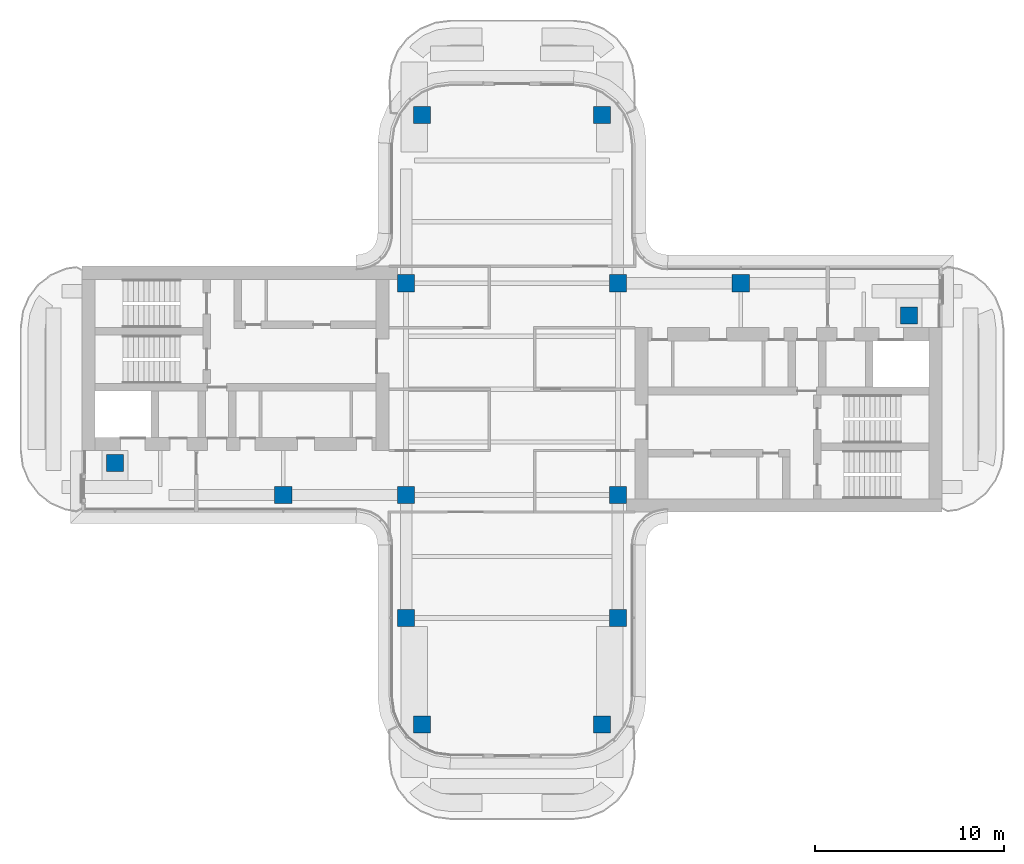
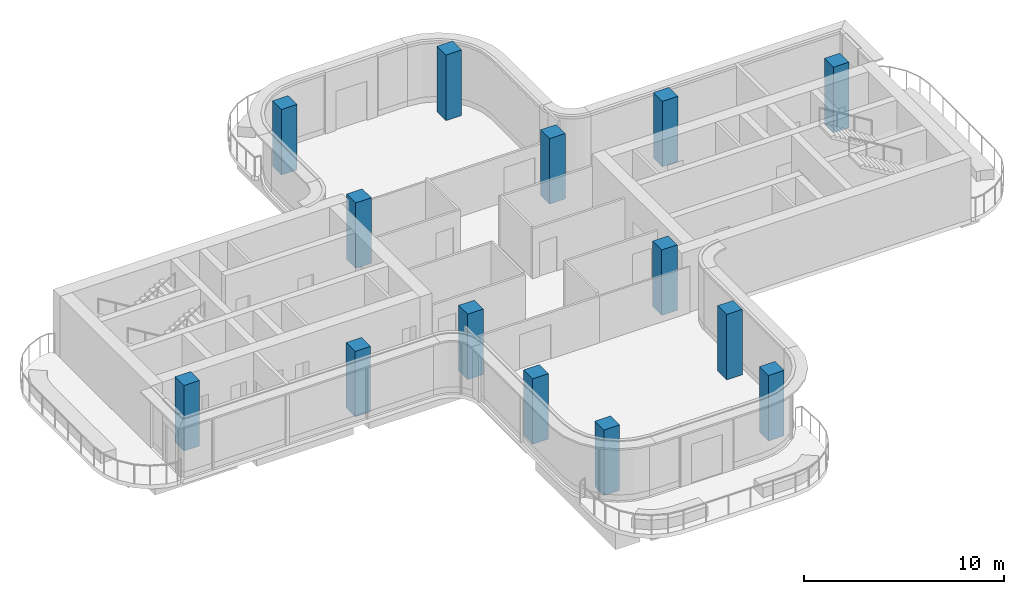
# One storey, part 1 of 18: 14 columns.
"""IFC4 building model written with IfcOpenShell, lengths in metres."""

from ifc_helpers import new_model, si_unit, direction, frame, origin, origin_2d, place, context, subcontext, project, spatial, rectangle, extrude, source, transform, mapped, material, material_profile, profile_set, type_object, element, save


model = new_model("IFC4")

# Units and contexts
model_context = context("Model", 3, precision=1e-05, world=origin(), true_north=direction((0.0, 1.0)))
body_context = subcontext(model_context, "Body", "Model", "MODEL_VIEW")
ifc_project = project(units=[si_unit("LENGTHUNIT", "METRE"), si_unit("AREAUNIT", "SQUARE_METRE"), si_unit("VOLUMEUNIT", "CUBIC_METRE"), si_unit("PLANEANGLEUNIT", "RADIAN"), si_unit("MASSUNIT", "GRAM", prefix="KILO")], contexts=[model_context])

# Site, building, storey
site_placement = place(None, origin())
site = spatial("IfcSite", under=ifc_project, at=site_placement, CompositionType="ELEMENT")
building_placement = place(site_placement, origin())
building = spatial("IfcBuilding", under=site, at=building_placement, Name="Trellis Farm Tower", CompositionType="ELEMENT")
storey_placement = place(building_placement, frame((0.0, 0.0, 338.10009765625)))
storey = spatial("IfcBuildingStorey", under=building, at=storey_placement, Name="L76", CompositionType="ELEMENT", Elevation=338.10009765625)

# Columns
ifc_material = material(Name="Concrete C50/60", Category="concrete")
ifc_material_profile = material_profile(ifc_material, rectangle(XDim=0.89990234375, YDim=0.89990234375, at=origin_2d()), Name="RC column 900x900 C50/60")
ifc_profile_set = profile_set([ifc_material_profile], Name="Concrete C50/60")
column_type = type_object("IfcColumnType", Name="RC column 900x900 C50/60", PredefinedType="COLUMN", material=ifc_profile_set)
shared_shape = source(origin(), body_context, "Body", "SweptSolid", [
    extrude(rectangle(XDim=0.89990234375, YDim=0.89990234375, at=origin_2d()), origin(), (0.0, 0.0, 1.0), 4.0),
])
for number, where, z_axis, x_axis, name in (
    (1, (12.10009765625, 5.60009765625, 0.0), (0.0, 0.0, 1.0), (1.0, 0.0, 0.0), "Column"),
    (2, (21.0, 3.89990234375, 0.0), (0.0, 0.0, 1.0), (1.0, 0.0, 0.0), "Column"),
    (3, (-4.75, 14.5, 0.0), (0.0, 0.0, 1.0), (1.0, 0.0, 0.0), "Column"),
    (4, (4.75, 14.5, 0.0), (0.0, 0.0, 1.0), (1.0, 0.0, 0.0), "Column"),
    (5, (5.60009765625, 5.60009765625, 0.0), (0.0, 0.0, 1.0), (1.0, 0.0, 0.0), "Column"),
    (6, (-5.60009765625, 5.60009765625, 0.0), (0.0, 0.0, 1.0), (1.0, 0.0, 0.0), "Column"),
    (7, (5.60009765625, -5.60009765625, 0.0), (0.0, 0.0, 1.0), (1.0, 0.0, 0.0), "Column"),
    (8, (-5.60009765625, -5.60009765625, 0.0), (0.0, 0.0, 1.0), (1.0, 0.0, 0.0), "Column"),
    (9, (5.60009765625, -12.10009765625, 0.0), (0.0, 0.0, 1.0), (1.0, 0.0, 0.0), "Column"),
    (10, (4.75, -17.75, 0.0), (0.0, 0.0, 1.0), (1.0, 0.0, 0.0), "Column"),
    (11, (-5.60009765625, -12.10009765625, 0.0), (0.0, 0.0, 1.0), (1.0, 0.0, 0.0), "Column"),
    (12, (-4.75, -17.75, 0.0), (0.0, 0.0, 1.0), (1.0, 0.0, 0.0), "Column"),
    (13, (-12.10009765625, -5.60009765625, 0.0), (0.0, 0.0, 1.0), (1.0, 0.0, 0.0), "Column"),
    (14, (-21.0, -3.89990234375, 0.0), (0.0, 0.0, 1.0), (1.0, 0.0, 0.0), "Column"),
):
    element("IfcColumn", number, at=place(storey_placement, frame(where, z_axis=z_axis, x_axis=x_axis)), inside=storey, type_object=column_type, Name=name, PredefinedType="COLUMN", context=body_context, shape_type="MappedRepresentation", body=[
        mapped(shared_shape, transform((0.0, 0.0, 0.0))),
    ])

save(model, "model.ifc")
